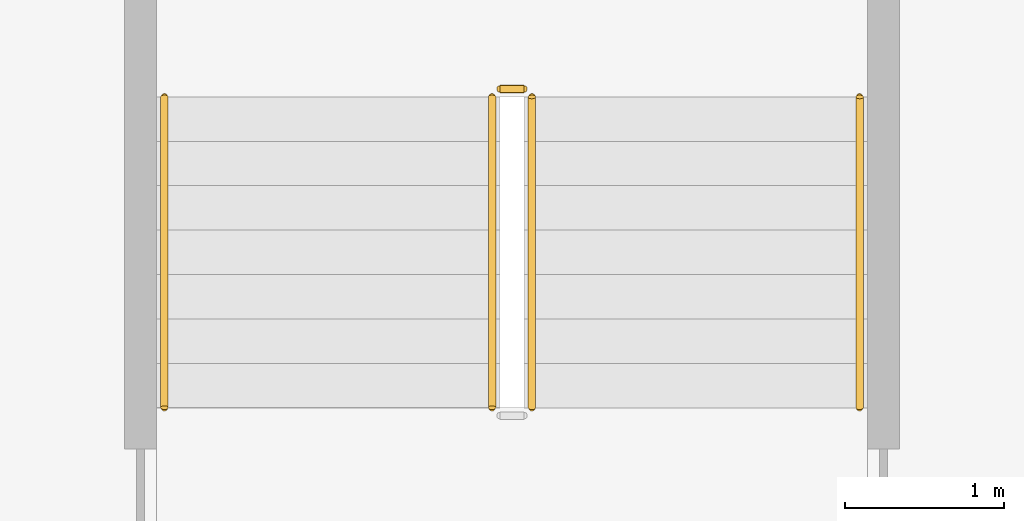
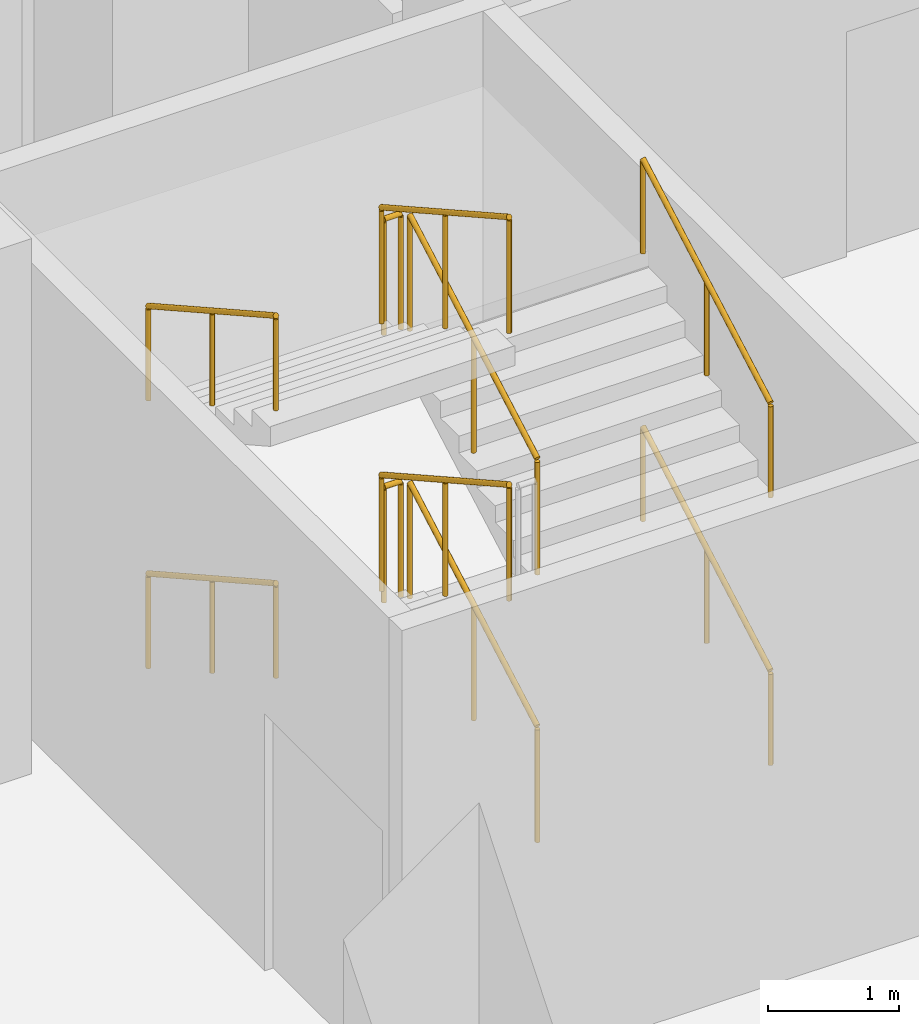
# One storey, part 23 of 24: 10 railings.
"""IFC4 building model written with IfcOpenShell, lengths in metres."""

from ifc_helpers import new_model, si_unit, direction, frame, origin, origin_2d, place, context, subcontext, project, spatial, circle, extrude, material, type_object, element, save


model = new_model("IFC4")

# Units and contexts
model_context = context("Model", 3, precision=1e-05, world=origin(), true_north=direction((0.0, 1.0)))
body_context = subcontext(model_context, "Body", "Model", "MODEL_VIEW")
ifc_project = project(units=[si_unit("LENGTHUNIT", "METRE"), si_unit("AREAUNIT", "SQUARE_METRE"), si_unit("VOLUMEUNIT", "CUBIC_METRE"), si_unit("PLANEANGLEUNIT", "RADIAN"), si_unit("MASSUNIT", "GRAM", prefix="KILO")], contexts=[model_context])

# Site, building, storey
site_placement = place(None, origin())
site = spatial("IfcSite", under=ifc_project, at=site_placement, CompositionType="ELEMENT")
building_placement = place(site_placement, origin())
building = spatial("IfcBuilding", under=site, at=building_placement, Name="Calabash Gate Tower", CompositionType="ELEMENT")
storey_placement = place(building_placement, frame((0.0, 0.0, -5.0)))
storey = spatial("IfcBuildingStorey", under=building, at=storey_placement, Name="B1", CompositionType="ELEMENT", Elevation=-5.0)

# Railings
ifc_material_1 = material(Name="Black powder-coated steel balusters", Category="steel")
railing_type_1 = type_object("IfcRailingType", Name="Stair guard RL1100", PredefinedType="GUARDRAIL", material=ifc_material_1)
railing_1_placement = place(storey_placement, frame((-35.81005859375, 16.159912109375, 0.15625)))
element("IfcRailing", 1, at=railing_1_placement, inside=storey, type_object=railing_type_1, Name="B1 PS5 stair guard 1", PredefinedType="GUARDRAIL", context=body_context, shape_type="SweptSolid", body=[
    extrude(circle(Radius=0.02392578125, at=origin_2d()), frame((0.0, 0.0, 1.076171875), z_axis=(0.0, 0.87250601595, 0.488603368932), x_axis=(-1.0, 0.0, 0.0)), (0.0, 0.0, 1.0), 2.238525390625),
    extrude(circle(Radius=0.02099609375, at=origin_2d()), origin(), (0.0, 0.0, 1.0), 1.052001953125),
    extrude(circle(Radius=0.02099609375, at=origin_2d()), frame((0.0, 0.9765625, 0.546875)), (0.0, 0.0, 1.0), 1.052001953125),
    extrude(circle(Radius=0.02099609375, at=origin_2d()), frame((0.0, 1.953125, 1.09375)), (0.0, 0.0, 1.0), 1.052001953125),
])
railing_2_placement = place(storey_placement, frame((-35.860107421875, 18.1630859375, 1.25)))
element("IfcRailing", 2, at=railing_2_placement, inside=storey, type_object=railing_type_1, Name="B1 PS5 stair guard 2", PredefinedType="GUARDRAIL", context=body_context, shape_type="SweptSolid", body=[
    extrude(circle(Radius=0.02392578125, at=origin_2d()), frame((0.0, 0.0, 1.076171875), z_axis=(-1.0, 0.0, 0.0), x_axis=(0.0, -1.0, 0.0)), (0.0, 0.0, 1.0), 0.14990234375),
    extrude(circle(Radius=0.02099609375, at=origin_2d()), origin(), (0.0, 0.0, 1.0), 1.052001953125),
    extrude(circle(Radius=0.02099609375, at=origin_2d()), frame((-0.14990234375, 0.0, 0.0)), (0.0, 0.0, 1.0), 1.052001953125),
])
railing_3_placement = place(storey_placement, frame((-36.06005859375, 18.113037109375, 1.40625)))
element("IfcRailing", 3, at=railing_3_placement, inside=storey, type_object=railing_type_1, Name="B1 PS5 stair guard 3", PredefinedType="GUARDRAIL", context=body_context, shape_type="SweptSolid", body=[
    extrude(circle(Radius=0.02392578125, at=origin_2d()), frame((0.0, 0.0, 1.076171875), z_axis=(0.0, -0.87250601595, 0.488603368932), x_axis=(1.0, 0.0, 0.0)), (0.0, 0.0, 1.0), 2.238525390625),
    extrude(circle(Radius=0.02099609375, at=origin_2d()), origin(), (0.0, 0.0, 1.0), 1.052001953125),
    extrude(circle(Radius=0.02099609375, at=origin_2d()), frame((0.0, -0.9765625, 0.546875)), (0.0, 0.0, 1.0), 1.052001953125),
    extrude(circle(Radius=0.02099609375, at=origin_2d()), frame((0.0, -1.953125, 1.09375)), (0.0, 0.0, 1.0), 1.052001953125),
])
railing_4_placement = place(storey_placement, frame((-35.81005859375, 16.159912109375, 2.65625)))
element("IfcRailing", 4, at=railing_4_placement, inside=storey, type_object=railing_type_1, Name="B1 PS5 stair guard 5", PredefinedType="GUARDRAIL", context=body_context, shape_type="SweptSolid", body=[
    extrude(circle(Radius=0.02392578125, at=origin_2d()), frame((0.0, 0.0, 1.076171875), z_axis=(0.0, 0.87250601595, 0.488603368932), x_axis=(-1.0, 0.0, 0.0)), (0.0, 0.0, 1.0), 2.238525390625),
    extrude(circle(Radius=0.02099609375, at=origin_2d()), origin(), (0.0, 0.0, 1.0), 1.052001953125),
    extrude(circle(Radius=0.02099609375, at=origin_2d()), frame((0.0, 0.9765625, 0.546875)), (0.0, 0.0, 1.0), 1.052001953125),
    extrude(circle(Radius=0.02099609375, at=origin_2d()), frame((0.0, 1.953125, 1.09375)), (0.0, 0.0, 1.0), 1.052001953125),
])
railing_5_placement = place(storey_placement, frame((-35.860107421875, 18.1630859375, 3.75)))
element("IfcRailing", 5, at=railing_5_placement, inside=storey, type_object=railing_type_1, Name="B1 PS5 stair guard 6", PredefinedType="GUARDRAIL", context=body_context, shape_type="SweptSolid", body=[
    extrude(circle(Radius=0.02392578125, at=origin_2d()), frame((0.0, 0.0, 1.076171875), z_axis=(-1.0, 0.0, 0.0), x_axis=(0.0, -1.0, 0.0)), (0.0, 0.0, 1.0), 0.14990234375),
    extrude(circle(Radius=0.02099609375, at=origin_2d()), origin(), (0.0, 0.0, 1.0), 1.052001953125),
    extrude(circle(Radius=0.02099609375, at=origin_2d()), frame((-0.14990234375, 0.0, 0.0)), (0.0, 0.0, 1.0), 1.052001953125),
])
railing_6_placement = place(storey_placement, frame((-36.06005859375, 18.113037109375, 3.90625)))
element("IfcRailing", 6, at=railing_6_placement, inside=storey, type_object=railing_type_1, Name="B1 PS5 stair guard 7", PredefinedType="GUARDRAIL", context=body_context, shape_type="SweptSolid", body=[
    extrude(circle(Radius=0.02392578125, at=origin_2d()), frame((0.0, 0.0, 1.076171875), z_axis=(0.0, -0.87250601595, 0.488603368932), x_axis=(1.0, 0.0, 0.0)), (0.0, 0.0, 1.0), 2.238525390625),
    extrude(circle(Radius=0.02099609375, at=origin_2d()), origin(), (0.0, 0.0, 1.0), 1.052001953125),
    extrude(circle(Radius=0.02099609375, at=origin_2d()), frame((0.0, -0.9765625, 0.546875)), (0.0, 0.0, 1.0), 1.052001953125),
    extrude(circle(Radius=0.02099609375, at=origin_2d()), frame((0.0, -1.953125, 1.09375)), (0.0, 0.0, 1.0), 1.052001953125),
])
ifc_material_2 = material(Name="Black powder-coated steel tube 48 mm", Category="steel")
railing_type_2 = type_object("IfcRailingType", Name="Stair handrail RL900", PredefinedType="HANDRAIL", material=ifc_material_2)
railing_7_placement = place(storey_placement, frame((-33.75, 16.159912109375, 0.15625)))
element("IfcRailing", 7, at=railing_7_placement, inside=storey, type_object=railing_type_2, Name="B1 PS5 stair handrail 1", PredefinedType="HANDRAIL", context=body_context, shape_type="SweptSolid", body=[
    extrude(circle(Radius=0.02392578125, at=origin_2d()), frame((0.0, 0.0, 0.8759765625), z_axis=(0.0, 0.87250601595, 0.488603368932), x_axis=(-1.0, 0.0, 0.0)), (0.0, 0.0, 1.0), 2.238525390625),
    extrude(circle(Radius=0.02099609375, at=origin_2d()), origin(), (0.0, 0.0, 1.0), 0.851806640625),
    extrude(circle(Radius=0.02099609375, at=origin_2d()), frame((0.0, 0.9765625, 0.546875)), (0.0, 0.0, 1.0), 0.851806640625),
    extrude(circle(Radius=0.02099609375, at=origin_2d()), frame((0.0, 1.953125, 1.09375)), (0.0, 0.0, 1.0), 0.851806640625),
])
railing_8_placement = place(storey_placement, frame((-38.1201171875, 18.113037109375, 1.40625)))
element("IfcRailing", 8, at=railing_8_placement, inside=storey, type_object=railing_type_2, Name="B1 PS5 stair handrail 2", PredefinedType="HANDRAIL", context=body_context, shape_type="SweptSolid", body=[
    extrude(circle(Radius=0.02392578125, at=origin_2d()), frame((0.0, 0.0, 0.8759765625), z_axis=(0.0, -0.87250601595, 0.488603368932), x_axis=(1.0, 0.0, 0.0)), (0.0, 0.0, 1.0), 2.238525390625),
    extrude(circle(Radius=0.02099609375, at=origin_2d()), origin(), (0.0, 0.0, 1.0), 0.851806640625),
    extrude(circle(Radius=0.02099609375, at=origin_2d()), frame((0.0, -0.9765625, 0.546875)), (0.0, 0.0, 1.0), 0.851806640625),
    extrude(circle(Radius=0.02099609375, at=origin_2d()), frame((0.0, -1.953125, 1.09375)), (0.0, 0.0, 1.0), 0.851806640625),
])
railing_9_placement = place(storey_placement, frame((-33.75, 16.159912109375, 2.65625)))
element("IfcRailing", 9, at=railing_9_placement, inside=storey, type_object=railing_type_2, Name="B1 PS5 stair handrail 3", PredefinedType="HANDRAIL", context=body_context, shape_type="SweptSolid", body=[
    extrude(circle(Radius=0.02392578125, at=origin_2d()), frame((0.0, 0.0, 0.8759765625), z_axis=(0.0, 0.87250601595, 0.488603368932), x_axis=(-1.0, 0.0, 0.0)), (0.0, 0.0, 1.0), 2.238525390625),
    extrude(circle(Radius=0.02099609375, at=origin_2d()), origin(), (0.0, 0.0, 1.0), 0.851806640625),
    extrude(circle(Radius=0.02099609375, at=origin_2d()), frame((0.0, 0.9765625, 0.546875)), (0.0, 0.0, 1.0), 0.851806640625),
    extrude(circle(Radius=0.02099609375, at=origin_2d()), frame((0.0, 1.953125, 1.09375)), (0.0, 0.0, 1.0), 0.851806640625),
])
railing_10_placement = place(storey_placement, frame((-38.1201171875, 18.113037109375, 3.90625)))
element("IfcRailing", 10, at=railing_10_placement, inside=storey, type_object=railing_type_2, Name="B1 PS5 stair handrail 4", PredefinedType="HANDRAIL", context=body_context, shape_type="SweptSolid", body=[
    extrude(circle(Radius=0.02392578125, at=origin_2d()), frame((0.0, 0.0, 0.8759765625), z_axis=(0.0, -0.87250601595, 0.488603368932), x_axis=(1.0, 0.0, 0.0)), (0.0, 0.0, 1.0), 2.238525390625),
    extrude(circle(Radius=0.02099609375, at=origin_2d()), origin(), (0.0, 0.0, 1.0), 0.851806640625),
    extrude(circle(Radius=0.02099609375, at=origin_2d()), frame((0.0, -0.9765625, 0.546875)), (0.0, 0.0, 1.0), 0.851806640625),
    extrude(circle(Radius=0.02099609375, at=origin_2d()), frame((0.0, -1.953125, 1.09375)), (0.0, 0.0, 1.0), 0.851806640625),
])

save(model, "model.ifc")
